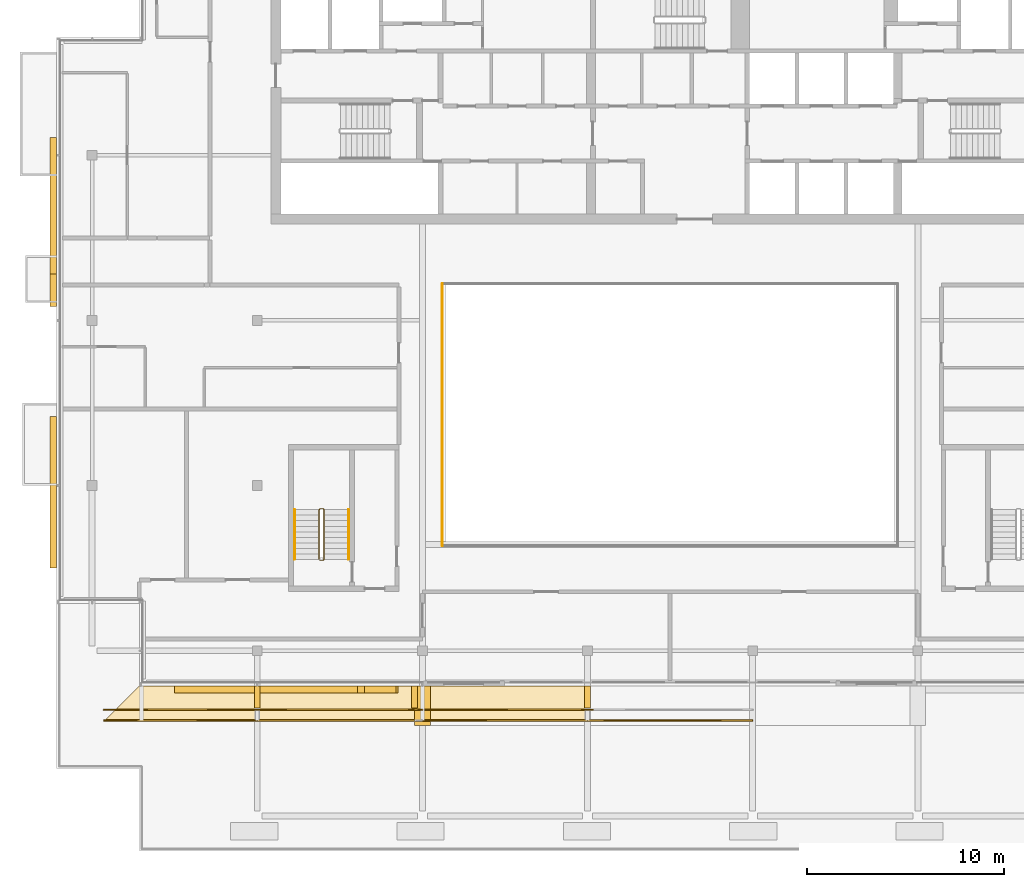
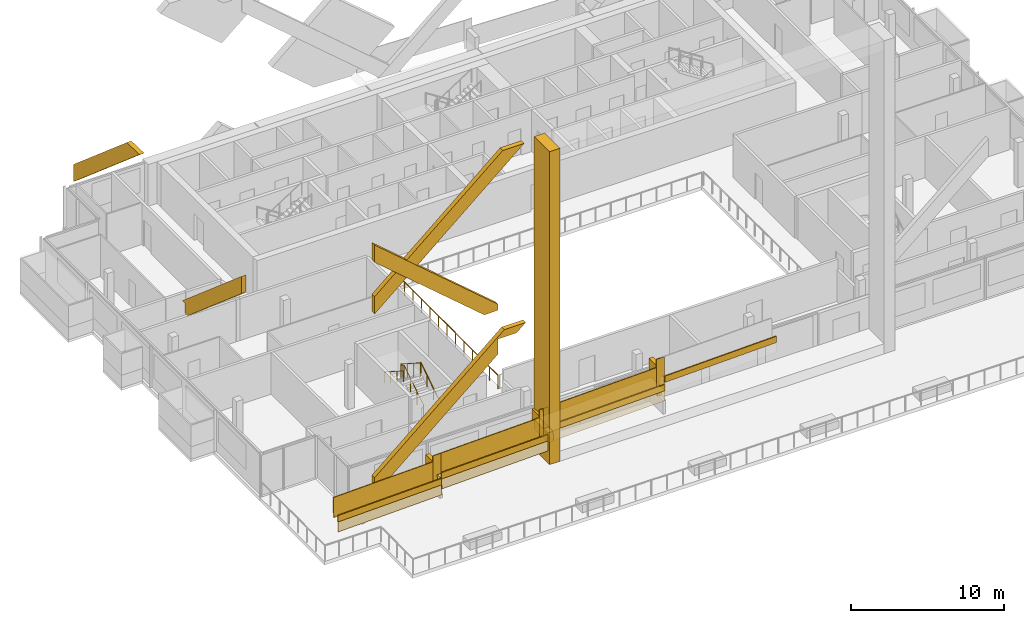
# One storey, part 18 of 22: 17 coverings, 11 railings.
"""IFC4 building model written with IfcOpenShell, lengths in metres."""

from ifc_helpers import new_model, si_unit, direction, frame, origin, origin_2d, place, context, subcontext, project, spatial, polyline, rectangle, circle, outline, extrude, material, layer, layer_set, type_object, element, save


model = new_model("IFC4")

# Units and contexts
model_context = context("Model", 3, precision=1e-05, world=origin(), true_north=direction((0.0, 1.0)))
body_context = subcontext(model_context, "Body", "Model", "MODEL_VIEW")
ifc_project = project(units=[si_unit("LENGTHUNIT", "METRE"), si_unit("AREAUNIT", "SQUARE_METRE"), si_unit("VOLUMEUNIT", "CUBIC_METRE"), si_unit("PLANEANGLEUNIT", "RADIAN"), si_unit("MASSUNIT", "GRAM", prefix="KILO")], contexts=[model_context])

# Site, building, storey
site_placement = place(None, origin())
site = spatial("IfcSite", under=ifc_project, at=site_placement, CompositionType="ELEMENT")
building_placement = place(site_placement, origin())
building = spatial("IfcBuilding", under=site, at=building_placement, Name="Saffron Gate Tower", CompositionType="ELEMENT")
storey_placement = place(building_placement, frame((0.0, 0.0, 285.14990234375)))
storey = spatial("IfcBuildingStorey", under=building, at=storey_placement, Name="L69", CompositionType="ELEMENT", Elevation=285.14990234375)

# Railings
ifc_material_1 = material(Name="Stainless steel and laminated glass", Category="steel")
railing_type_1 = type_object("IfcRailingType", Name="AG1 Atrium edge guard 1100", PredefinedType="GUARDRAIL", material=ifc_material_1)
railing_1_placement = place(storey_placement, frame((76.02001953125, 45.5400390625, 0.0)))
element("IfcRailing", 1, at=railing_1_placement, inside=storey, type_object=railing_type_1, Name="Guard E4-1", PredefinedType="GUARDRAIL", context=body_context, shape_type="SweptSolid", body=[
    extrude(circle(Radius=0.02392578125, at=origin_2d()), frame((0.0, 0.0, 1.076171875), z_axis=(0.0, 1.0, 0.0), x_axis=(-1.0, 0.0, 0.0)), (0.0, 0.0, 1.0), 13.320068359375),
    extrude(circle(Radius=0.02099609375, at=origin_2d()), origin(), (0.0, 0.0, 1.0), 1.052001953125),
    extrude(circle(Radius=0.02099609375, at=origin_2d()), frame((0.0, 1.110107421875, 0.0)), (0.0, 0.0, 1.0), 1.052001953125),
    extrude(circle(Radius=0.02099609375, at=origin_2d()), frame((0.0, 2.219970703125, 0.0)), (0.0, 0.0, 1.0), 1.052001953125),
    extrude(circle(Radius=0.02099609375, at=origin_2d()), frame((0.0, 3.330078125, 0.0)), (0.0, 0.0, 1.0), 1.052001953125),
    extrude(circle(Radius=0.02099609375, at=origin_2d()), frame((0.0, 4.43994140625, 0.0)), (0.0, 0.0, 1.0), 1.052001953125),
    extrude(circle(Radius=0.02099609375, at=origin_2d()), frame((0.0, 5.550048828125, 0.0)), (0.0, 0.0, 1.0), 1.052001953125),
    extrude(circle(Radius=0.02099609375, at=origin_2d()), frame((0.0, 6.66015625, 0.0)), (0.0, 0.0, 1.0), 1.052001953125),
    extrude(circle(Radius=0.02099609375, at=origin_2d()), frame((0.0, 7.77001953125, 0.0)), (0.0, 0.0, 1.0), 1.052001953125),
    extrude(circle(Radius=0.02099609375, at=origin_2d()), frame((0.0, 8.880126953125, 0.0)), (0.0, 0.0, 1.0), 1.052001953125),
    extrude(circle(Radius=0.02099609375, at=origin_2d()), frame((0.0, 9.989990234375, 0.0)), (0.0, 0.0, 1.0), 1.052001953125),
    extrude(circle(Radius=0.02099609375, at=origin_2d()), frame((0.0, 11.10009765625, 0.0)), (0.0, 0.0, 1.0), 1.052001953125),
    extrude(circle(Radius=0.02099609375, at=origin_2d()), frame((0.0, 12.2099609375, 0.0)), (0.0, 0.0, 1.0), 1.052001953125),
    extrude(circle(Radius=0.02099609375, at=origin_2d()), frame((0.0, 13.320068359375, 0.0)), (0.0, 0.0, 1.0), 1.052001953125),
])
railing_type_2 = type_object("IfcRailingType", Name="CR1 Stair guard 1100", PredefinedType="GUARDRAIL", material=ifc_material_1)
railing_2_placement = place(storey_placement, frame((69.800048828125, 44.800048828125, 0.0)))
element("IfcRailing", 2, at=railing_2_placement, inside=storey, type_object=railing_type_2, Name="L69 ST-D stair guard 1", PredefinedType="GUARDRAIL", context=body_context, shape_type="SweptSolid", body=[
    extrude(circle(Radius=0.02392578125, at=origin_2d()), frame((0.0, 0.0, 1.076171875), z_axis=(1.0, 0.0, 0.0), x_axis=(0.0, 1.0, 0.0)), (0.0, 0.0, 1.0), 0.14990234375),
    extrude(circle(Radius=0.02392578125, at=origin_2d()), frame((0.14990234375, 0.0, 1.076171875), z_axis=(0.258543844998, 0.258543844998, 0.930757841991), x_axis=(-0.707106781187, 0.707106781187, 0.0)), (0.0, 0.0, 1.0), 0.193603515625),
    extrude(circle(Radius=0.02392578125, at=origin_2d()), frame((0.199951171875, 0.050048828125, 1.25634765625), z_axis=(0.0, 0.841199657755, 0.540724639528), x_axis=(-1.0, 0.0, 0.0)), (0.0, 0.0, 1.0), 2.995849609375),
    extrude(circle(Radius=0.02392578125, at=origin_2d()), frame((0.199951171875, 2.570068359375, 2.8759765625), z_axis=(-0.708833529934, 0.705375805398, 0.0), x_axis=(-0.705375805398, -0.708833529934, 0.0)), (0.0, 0.0, 1.0), 0.070556640625),
    extrude(circle(Radius=0.02392578125, at=origin_2d()), frame((0.14990234375, 2.619873046875, 2.8759765625), z_axis=(-1.0, 0.0, 0.0), x_axis=(0.0, -1.0, 0.0)), (0.0, 0.0, 1.0), 0.14990234375),
    extrude(circle(Radius=0.02392578125, at=origin_2d()), frame((0.0, 2.619873046875, 2.8759765625), z_axis=(-0.258932105505, -0.257669022063, 0.930892496375), x_axis=(0.705375805398, -0.708833529934, 0.0)), (0.0, 0.0, 1.0), 0.193359375),
    extrude(circle(Radius=0.02392578125, at=origin_2d()), frame((-0.050048828125, 2.570068359375, 3.05615234375), z_axis=(0.0, -0.841162588446, 0.540782303519), x_axis=(1.0, 0.0, 0.0)), (0.0, 0.0, 1.0), 2.995849609375),
    extrude(circle(Radius=0.02099609375, at=origin_2d()), origin(), (0.0, 0.0, 1.0), 1.052001953125),
    extrude(circle(Radius=0.02099609375, at=origin_2d()), frame((0.14990234375, 0.0, 0.0)), (0.0, 0.0, 1.0), 1.052001953125),
    extrude(circle(Radius=0.02099609375, at=origin_2d()), frame((0.199951171875, 0.050048828125, 0.18017578125)), (0.0, 0.0, 1.0), 1.052001953125),
    extrude(circle(Radius=0.02099609375, at=origin_2d()), frame((0.199951171875, 0.89013671875, 0.72021484375)), (0.0, 0.0, 1.0), 1.052001953125),
    extrude(circle(Radius=0.02099609375, at=origin_2d()), frame((0.199951171875, 1.72998046875, 1.260009765625)), (0.0, 0.0, 1.0), 1.052001953125),
    extrude(circle(Radius=0.02099609375, at=origin_2d()), frame((0.199951171875, 2.570068359375, 1.800048828125)), (0.0, 0.0, 1.0), 1.052001953125),
    extrude(circle(Radius=0.02099609375, at=origin_2d()), frame((0.14990234375, 2.619873046875, 1.800048828125)), (0.0, 0.0, 1.0), 1.052001953125),
    extrude(circle(Radius=0.02099609375, at=origin_2d()), frame((0.0, 2.619873046875, 1.800048828125)), (0.0, 0.0, 1.0), 1.052001953125),
    extrude(circle(Radius=0.02099609375, at=origin_2d()), frame((-0.050048828125, 2.570068359375, 1.97998046875)), (0.0, 0.0, 1.0), 1.052001953125),
    extrude(circle(Radius=0.02099609375, at=origin_2d()), frame((-0.050048828125, 1.72998046875, 2.52001953125)), (0.0, 0.0, 1.0), 1.052001953125),
    extrude(circle(Radius=0.02099609375, at=origin_2d()), frame((-0.050048828125, 0.89013671875, 3.06005859375)), (0.0, 0.0, 1.0), 1.052001953125),
    extrude(circle(Radius=0.02099609375, at=origin_2d()), frame((-0.050048828125, 0.050048828125, 3.60009765625)), (0.0, 0.0, 1.0), 1.052001953125),
])
ifc_material_2 = material(Name="Stainless steel", Category="steel")
railing_type_3 = type_object("IfcRailingType", Name="CR2 Stair handrail 900", PredefinedType="HANDRAIL", material=ifc_material_2)
railing_3_placement = place(storey_placement, frame((71.25, 44.85009765625, 0.18017578125)))
element("IfcRailing", 3, at=railing_3_placement, inside=storey, type_object=railing_type_3, Name="L69 ST-D stair handrail 1", PredefinedType="HANDRAIL", context=body_context, shape_type="SweptSolid", body=[
    extrude(circle(Radius=0.02392578125, at=origin_2d()), frame((0.0, 0.0, 0.8759765625), z_axis=(0.0, 0.841199657755, 0.540724639528), x_axis=(-1.0, 0.0, 0.0)), (0.0, 0.0, 1.0), 2.995849609375),
    extrude(circle(Radius=0.02099609375, at=origin_2d()), origin(), (0.0, 0.0, 1.0), 0.851806640625),
    extrude(circle(Radius=0.02099609375, at=origin_2d()), frame((0.0, 0.840087890625, 0.5400390625)), (0.0, 0.0, 1.0), 0.851806640625),
    extrude(circle(Radius=0.02099609375, at=origin_2d()), frame((0.0, 1.679931640625, 1.079833984375)), (0.0, 0.0, 1.0), 0.851806640625),
    extrude(circle(Radius=0.02099609375, at=origin_2d()), frame((0.0, 2.52001953125, 1.619873046875)), (0.0, 0.0, 1.0), 0.851806640625),
])
railing_4_placement = place(storey_placement, frame((68.5, 47.3701171875, 1.97998046875)))
element("IfcRailing", 4, at=railing_4_placement, inside=storey, type_object=railing_type_3, Name="L69 ST-D stair handrail 2", PredefinedType="HANDRAIL", context=body_context, shape_type="SweptSolid", body=[
    extrude(circle(Radius=0.02392578125, at=origin_2d()), frame((0.0, 0.0, 0.8759765625), z_axis=(0.0, -0.841162588446, 0.540782303519), x_axis=(1.0, 0.0, 0.0)), (0.0, 0.0, 1.0), 2.995849609375),
    extrude(circle(Radius=0.02099609375, at=origin_2d()), origin(), (0.0, 0.0, 1.0), 0.851806640625),
    extrude(circle(Radius=0.02099609375, at=origin_2d()), frame((0.0, -0.840087890625, 0.5400390625)), (0.0, 0.0, 1.0), 0.851806640625),
    extrude(circle(Radius=0.02099609375, at=origin_2d()), frame((0.0, -1.679931640625, 1.080078125)), (0.0, 0.0, 1.0), 0.851806640625),
    extrude(circle(Radius=0.02099609375, at=origin_2d()), frame((0.0, -2.52001953125, 1.6201171875)), (0.0, 0.0, 1.0), 0.851806640625),
])

# Coverings
ifc_material_3 = material(Name="Ceramic-printed bronze insulated panel")
ifc_layer_1 = layer(ifc_material_3, 0.800048828125)
ifc_layer_set_1 = layer_set([ifc_layer_1], Name="FN1 atrium fin")
covering_type_1 = type_object("IfcCoveringType", Name="FN1 atrium fin", PredefinedType="CLADDING", material=ifc_layer_set_1)
covering_1_placement = place(storey_placement, origin())
element("IfcCovering", 5, at=covering_1_placement, inside=storey, type_object=covering_type_1, Name="CLADDING atrium fin", PredefinedType="CLADDING", context=body_context, shape_type="SweptSolid", body=[
    extrude(outline(polyline([(74.60009765625, 38.39990234375), (75.39990234375, 38.39990234375), (75.39990234375, 36.39990234375), (74.60009765625, 36.39990234375), (74.60009765625, 38.39990234375)])), origin(), (0.0, 0.0, 1.0), 24.900146484375),
])
ifc_material_4 = material(Name="Timber, thermally modified ash", Category="wood")
ifc_layer_2 = layer(ifc_material_4, 0.800048828125)
ifc_layer_set_2 = layer_set([ifc_layer_2], Name="LD1 ledge timber")
covering_type_2 = type_object("IfcCoveringType", Name="LD1 ledge timber", PredefinedType="CLADDING", material=ifc_layer_set_2)
covering_2_placement = place(storey_placement, frame((60.60009765625, 38.39990234375, 0.900146484375), z_axis=(-0.028807146299, -3.5032058e-05, 0.99958498743), x_axis=(0.999584988043, -3.68e-10, 0.028807146316)))
element("IfcCovering", 6, at=covering_2_placement, inside=storey, type_object=covering_type_2, Name="LEDGE", PredefinedType="CLADDING", context=body_context, shape_type="SweptSolid", body=[
    extrude(outline(polyline([(0.0, 0.0), (6.0024892885105, 0.0), (6.002489289172793, -1.7998046863955992), (-1.800799813548424, -1.799804691475862), (0.0, 0.0)])), origin(), (0.0, 0.0, -1.0), 0.800048828125),
])
covering_3_placement = place(storey_placement, frame((66.60009765625, 38.39990234375, 1.540283203125), z_axis=(-0.028796646555, 0.0, 0.999585290582), x_axis=(0.999585290582, 0.0, 0.028796646555)))
element("IfcCovering", 7, at=covering_3_placement, inside=storey, type_object=covering_type_2, Name="LEDGE", PredefinedType="CLADDING", context=body_context, shape_type="SweptSolid", body=[
    extrude(outline(polyline([(0.0, 0.0), (8.003319051788862, 0.0), (8.003319051788862, -1.7998046875), (0.0, -1.7998046875), (0.0, 0.0)])), origin(), (0.0, 0.0, -1.0), 0.800048828125),
])
covering_4_placement = place(storey_placement, frame((74.60009765625, 38.39990234375, 2.39404296875), z_axis=(-0.029291455334, 0.0, 0.999570913265), x_axis=(0.999570913265, 0.0, 0.029291455334)))
element("IfcCovering", 8, at=covering_4_placement, inside=storey, type_object=covering_type_2, Name="LEDGE", PredefinedType="CLADDING", context=body_context, shape_type="SweptSolid", body=[
    extrude(outline(polyline([(0.0, 0.0), (0.40007401020099476, 0.0), (0.40007401020099476, -1.7998046875), (0.0, -1.7998046875), (0.0, 0.0)])), origin(), (0.0, 0.0, -1.0), 0.800048828125),
])
covering_5_placement = place(storey_placement, frame((75.0, 38.39990234375, 2.436767578125), z_axis=(-0.028791175352, 0.0, 0.999585448184), x_axis=(0.999585448184, 0.0, 0.028791175352)))
element("IfcCovering", 9, at=covering_5_placement, inside=storey, type_object=covering_type_2, Name="LEDGE", PredefinedType="CLADDING", context=body_context, shape_type="SweptSolid", body=[
    extrude(outline(polyline([(0.0, 0.0), (8.403385982666892, 0.0), (8.403385982666892, -1.7998046875), (0.0, -1.7998046875), (0.0, 0.0)])), origin(), (0.0, 0.0, -1.0), 0.800048828125),
])
ifc_layer_3 = layer(ifc_material_4, 0.080078125)
ifc_layer_set_3 = layer_set([ifc_layer_3], Name="LD2 ledge planter trough")
covering_type_3 = type_object("IfcCoveringType", Name="LD2 ledge planter trough", PredefinedType="CLADDING", material=ifc_layer_set_3)
covering_6_placement = place(storey_placement, frame((58.800048828125, 36.60009765625, 0.84814453125), z_axis=(0.0, -1.0, 0.0), x_axis=(0.999584755248, 0.0, 0.028815222999)))
element("IfcCovering", 10, at=covering_6_placement, inside=storey, type_object=covering_type_3, Name="LEDGE planter trough", PredefinedType="CLADDING", context=body_context, shape_type="SweptSolid", body=[
    extrude(outline(polyline([(0.0, 0.0), (7.803289102975944, 0.0), (7.8176967144752565, 0.4997923776238338), (0.014407611499312996, 0.4997923776238338), (0.0, 0.0)])), origin(), (0.0, 0.0, -1.0), 0.080078125),
])
covering_7_placement = place(storey_placement, frame((66.60009765625, 36.60009765625, 1.540283203125), z_axis=(0.0, -1.0, 0.0), x_axis=(0.999585290582, 0.0, 0.028796646555)))
element("IfcCovering", 11, at=covering_7_placement, inside=storey, type_object=covering_type_3, Name="LEDGE planter trough", PredefinedType="CLADDING", context=body_context, shape_type="SweptSolid", body=[
    extrude(outline(polyline([(0.0, 0.0), (8.003319051788862, 0.0), (8.017717375066283, 0.4997926452908234), (0.014398323277421184, 0.49979264529082346), (0.0, 0.0)])), origin(), (0.0, 0.0, -1.0), 0.080078125),
])
covering_8_placement = place(storey_placement, frame((75.0, 36.60009765625, 2.436767578125), z_axis=(0.0, -1.0, 0.0), x_axis=(0.999585448184, 0.0, 0.028791175352)))
element("IfcCovering", 12, at=covering_8_placement, inside=storey, type_object=covering_type_3, Name="LEDGE planter trough", PredefinedType="CLADDING", context=body_context, shape_type="SweptSolid", body=[
    extrude(outline(polyline([(0.0, 0.0), (8.403385982666892, 0.0), (8.417781570342743, 0.49979272409216496), (0.014395587675851172, 0.4997927240921649), (0.0, 0.0)])), origin(), (0.0, 0.0, -1.0), 0.080078125),
])
covering_9_placement = place(storey_placement, frame((83.39990234375, 36.60009765625, 3.333251953125), z_axis=(0.0, -1.0, 0.0), x_axis=(0.999585472266, 0.0, 0.028790339263)))
element("IfcCovering", 13, at=covering_9_placement, inside=storey, type_object=covering_type_3, Name="LEDGE planter trough", PredefinedType="CLADDING", context=body_context, shape_type="SweptSolid", body=[
    extrude(outline(polyline([(0.0, 0.0), (8.403630022085892, 0.0), (8.418025191717298, 0.4997927361329725), (0.014395169631405694, 0.4997927361329725), (0.0, 0.0)])), origin(), (0.0, 0.0, -1.0), 0.080078125),
])
ifc_layer_4 = layer(ifc_material_4, 0.300048828125)
ifc_layer_set_4 = layer_set([ifc_layer_4], Name="LD3 ledge riser fin")
covering_type_4 = type_object("IfcCoveringType", Name="LD3 ledge riser fin", PredefinedType="CLADDING", material=ifc_layer_set_4)
covering_10_placement = place(storey_placement, frame((66.60009765625, 37.840087890625, 0.27294921875), z_axis=(0.0, 0.0, 1.0), x_axis=(1.0, 0.0, 0.0)))
element("IfcCovering", 14, at=covering_10_placement, inside=storey, type_object=covering_type_4, Name="LEDGE riser fin", PredefinedType="CLADDING", context=body_context, shape_type="SweptSolid", body=[
    extrude(rectangle(XDim=0.300048828125, YDim=1.1201171875, at=origin_2d()), origin(), (0.0, 0.0, 1.0), 2.16748046875),
])
covering_11_placement = place(storey_placement, frame((74.60009765625, 37.840087890625, 0.970947265625), z_axis=(0.0, 0.0, 1.0), x_axis=(1.0, 0.0, 0.0)))
element("IfcCovering", 15, at=covering_11_placement, inside=storey, type_object=covering_type_4, Name="LEDGE riser fin", PredefinedType="CLADDING", context=body_context, shape_type="SweptSolid", body=[
    extrude(rectangle(XDim=0.300048828125, YDim=1.1201171875, at=origin_2d()), origin(), (0.0, 0.0, 1.0), 2.3232421875),
])
covering_12_placement = place(storey_placement, frame((83.39990234375, 37.840087890625, 1.878662109375), z_axis=(0.0, 0.0, 1.0), x_axis=(1.0, 0.0, 0.0)))
element("IfcCovering", 16, at=covering_12_placement, inside=storey, type_object=covering_type_4, Name="LEDGE riser fin", PredefinedType="CLADDING", context=body_context, shape_type="SweptSolid", body=[
    extrude(rectangle(XDim=0.300048828125, YDim=1.1201171875, at=origin_2d()), origin(), (0.0, 0.0, 1.0), 2.3544921875),
])

# Railings
railing_type_4 = type_object("IfcRailingType", Name="LG1 ledge balustrade", PredefinedType="BALUSTRADE", material=ifc_material_4)
railing_5_placement = place(storey_placement, frame((58.800048828125, 37.199951171875, 0.84814453125)))
element("IfcRailing", 17, at=railing_5_placement, inside=storey, type_object=railing_type_4, Name="LEDGE BALUSTRADE", PredefinedType="BALUSTRADE", context=body_context, shape_type="SweptSolid", body=[
    extrude(rectangle(XDim=0.06005859375, YDim=1.60009765625, at=origin_2d()), frame((0.0, 0.0, 0.800048828125), z_axis=(0.999584755248, 0.0, 0.028815222999), x_axis=(0.0, 1.0, 0.0)), (0.0, 0.0, 1.0), 7.80322265625),
])
railing_6_placement = place(storey_placement, frame((66.60009765625, 37.199951171875, 1.540283203125)))
element("IfcRailing", 18, at=railing_6_placement, inside=storey, type_object=railing_type_4, Name="LEDGE BALUSTRADE", PredefinedType="BALUSTRADE", context=body_context, shape_type="SweptSolid", body=[
    extrude(rectangle(XDim=0.06005859375, YDim=1.60009765625, at=origin_2d()), frame((0.0, 0.0, 0.800048828125), z_axis=(0.999585290582, 0.0, 0.028796646555), x_axis=(0.0, 1.0, 0.0)), (0.0, 0.0, 1.0), 8.00341796875),
])
railing_7_placement = place(storey_placement, frame((66.300048828125, 37.199951171875, 1.072998046875)))
element("IfcRailing", 19, at=railing_7_placement, inside=storey, type_object=railing_type_4, Name="LEDGE BALUSTRADE", PredefinedType="BALUSTRADE", context=body_context, shape_type="SweptSolid", body=[
    extrude(rectangle(XDim=0.06005859375, YDim=2.0673828125, at=origin_2d()), frame((0.0, 0.0, 1.03369140625), z_axis=(1.0, 0.0, 0.0), x_axis=(0.0, 1.0, 0.0)), (0.0, 0.0, 1.0), 0.599853515625),
])
railing_8_placement = place(storey_placement, frame((74.60009765625, 37.199951171875, 2.39404296875)))
element("IfcRailing", 20, at=railing_8_placement, inside=storey, type_object=railing_type_4, Name="LEDGE BALUSTRADE", PredefinedType="BALUSTRADE", context=body_context, shape_type="SweptSolid", body=[
    extrude(rectangle(XDim=0.06005859375, YDim=1.60009765625, at=origin_2d()), frame((0.0, 0.0, 0.800048828125), z_axis=(0.999570913265, 0.0, 0.029291455334), x_axis=(0.0, 1.0, 0.0)), (0.0, 0.0, 1.0), 0.400146484375),
])
railing_9_placement = place(storey_placement, frame((74.300048828125, 37.199951171875, 1.770751953125)))
element("IfcRailing", 21, at=railing_9_placement, inside=storey, type_object=railing_type_4, Name="LEDGE BALUSTRADE", PredefinedType="BALUSTRADE", context=body_context, shape_type="SweptSolid", body=[
    extrude(rectangle(XDim=0.06005859375, YDim=2.223388671875, at=origin_2d()), frame((0.0, 0.0, 1.11181640625), z_axis=(1.0, 0.0, 0.0), x_axis=(0.0, 1.0, 0.0)), (0.0, 0.0, 1.0), 0.599853515625),
])
railing_10_placement = place(storey_placement, frame((75.0, 37.199951171875, 2.436767578125)))
element("IfcRailing", 22, at=railing_10_placement, inside=storey, type_object=railing_type_4, Name="LEDGE BALUSTRADE", PredefinedType="BALUSTRADE", context=body_context, shape_type="SweptSolid", body=[
    extrude(rectangle(XDim=0.06005859375, YDim=1.60009765625, at=origin_2d()), frame((0.0, 0.0, 0.800048828125), z_axis=(0.999585448184, 0.0, 0.028791175352), x_axis=(0.0, 1.0, 0.0)), (0.0, 0.0, 1.0), 8.4033203125),
])
railing_11_placement = place(storey_placement, frame((83.10009765625, 37.199951171875, 2.6787109375)))
element("IfcRailing", 23, at=railing_11_placement, inside=storey, type_object=railing_type_4, Name="LEDGE BALUSTRADE", PredefinedType="BALUSTRADE", context=body_context, shape_type="SweptSolid", body=[
    extrude(rectangle(XDim=0.06005859375, YDim=2.25439453125, at=origin_2d()), frame((0.0, 0.0, 1.127197265625), z_axis=(1.0, 0.0, 0.0), x_axis=(0.0, 1.0, 0.0)), (0.0, 0.0, 1.0), 0.599853515625),
])

# Coverings
ifc_layer_5 = layer(ifc_material_3, 0.35009765625)
ifc_layer_set_5 = layer_set([ifc_layer_5], Name="LZ1 lozenge lattice bar 1600")
covering_type_5 = type_object("IfcCoveringType", Name="LZ1 lozenge lattice bar 1600", PredefinedType="CLADDING", material=ifc_layer_set_5)
covering_13_placement = place(storey_placement, frame((62.39990234375, 38.050048828125, 15.25732421875), z_axis=(0.0, -1.0, 0.0), x_axis=(0.759257765443, 0.0, 0.65079001653)))
element("IfcCovering", 24, at=covering_13_placement, inside=storey, type_object=covering_type_5, Name="CLADDING lozenge lattice bar", PredefinedType="CLADDING", context=body_context, shape_type="SweptSolid", body=[
    extrude(outline(polyline([(0.0, 0.0), (14.817102322871136, -8.881784197001252e-16), (13.602401117561943, 1.041168695878846), (0.8924530085077806, 1.0411989425029375), (0.0, 0.0)])), origin(), (0.0, 0.0, -1.0), 0.35009765625),
])
covering_14_placement = place(storey_placement, frame((62.39990234375, 38.050048828125, 0.951904296875), z_axis=(0.0, -1.0, 0.0), x_axis=(0.999554764003, 0.0, 0.029837455642)))
element("IfcCovering", 25, at=covering_14_placement, inside=storey, type_object=covering_type_5, Name="CLADDING lozenge lattice bar", PredefinedType="CLADDING", context=body_context, shape_type="SweptSolid", body=[
    extrude(outline(polyline([(0.0, 0.0), (0.11455295622468971, 0.0), (9.530929066536846, 7.595712195619719), (9.566477597672675, 8.786587988670004), (10.955995377514546, 8.745109845988157), (11.649515896473783, 9.304744252650062), (10.050374693224086, 9.352479810956023), (0.03809811840991556, 1.2762869667321712), (0.0, 0.0)])), origin(), (0.0, 0.0, -1.0), 0.35009765625),
])
covering_15_placement = place(storey_placement, frame((70.665771484375, 38.050048828125, 12.28662109375), z_axis=(0.0, -1.0, 0.0), x_axis=(0.999585516081, 0.0, 0.02878881798)))
element("IfcCovering", 26, at=covering_15_placement, inside=storey, type_object=covering_type_5, Name="CLADDING lozenge lattice bar", PredefinedType="CLADDING", context=body_context, shape_type="SweptSolid", body=[
    extrude(outline(polyline([(0.0, 0.0), (1.0346085160921665, 0.0), (1.0477096773993237, 0.4548895024353931), (-8.018996223046727, 8.690758430381509), (-8.058475419968563, 7.319988937259405), (0.0, 0.0)])), origin(), (0.0, 0.0, -1.0), 0.35009765625),
])
covering_16_placement = place(storey_placement, frame((56.050048828125, 66.300048828125, 12.25732421875), z_axis=(-1.0, 0.0, 0.0), x_axis=(0.0, 0.0, -1.0)))
element("IfcCovering", 27, at=covering_16_placement, inside=storey, type_object=covering_type_5, Name="CLADDING lozenge lattice bar", PredefinedType="CLADDING", context=body_context, shape_type="SweptSolid", body=[
    extrude(outline(polyline([(0.0, 0.0), (1.37158203125, 0.0), (-5.992919921875, 8.591796875), (-5.945068359375, 6.93603515625), (0.0, 0.0)])), origin(), (0.0, 0.0, -1.0), 0.35009765625),
])
covering_17_placement = place(storey_placement, frame((56.050048828125, 52.110107421875, 10.02001953125), z_axis=(-1.0, 0.0, 0.0), x_axis=(0.0, -1.0, 0.0)))
element("IfcCovering", 28, at=covering_17_placement, inside=storey, type_object=covering_type_5, Name="CLADDING lozenge lattice bar", PredefinedType="CLADDING", context=body_context, shape_type="SweptSolid", body=[
    extrude(outline(polyline([(0.0, 0.0), (0.360107421875, 0.0), (0.360107421875, -0.772705078125), (0.710205078125, -0.7626953125), (7.710205078125, 5.2373046875), (7.710205078125, 6.608642578125), (0.0, 0.0)])), origin(), (0.0, 0.0, -1.0), 0.35009765625),
])

save(model, "model.ifc")
